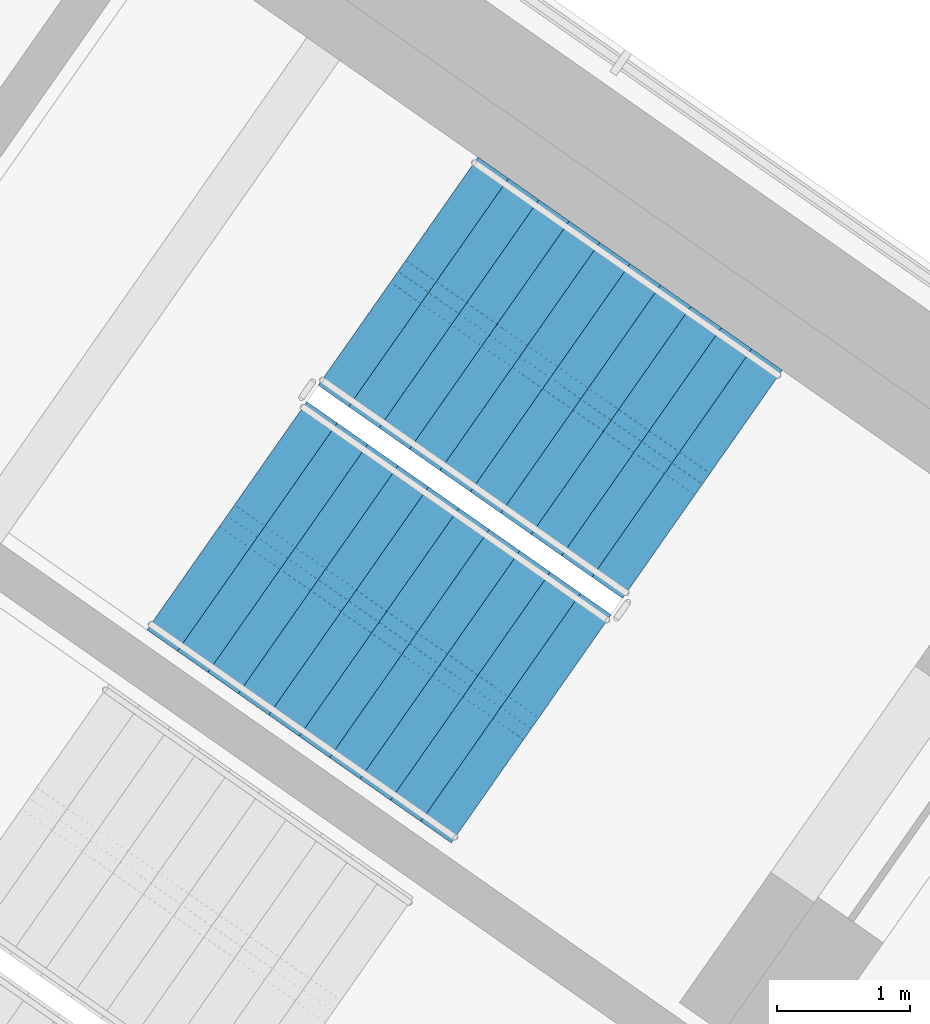
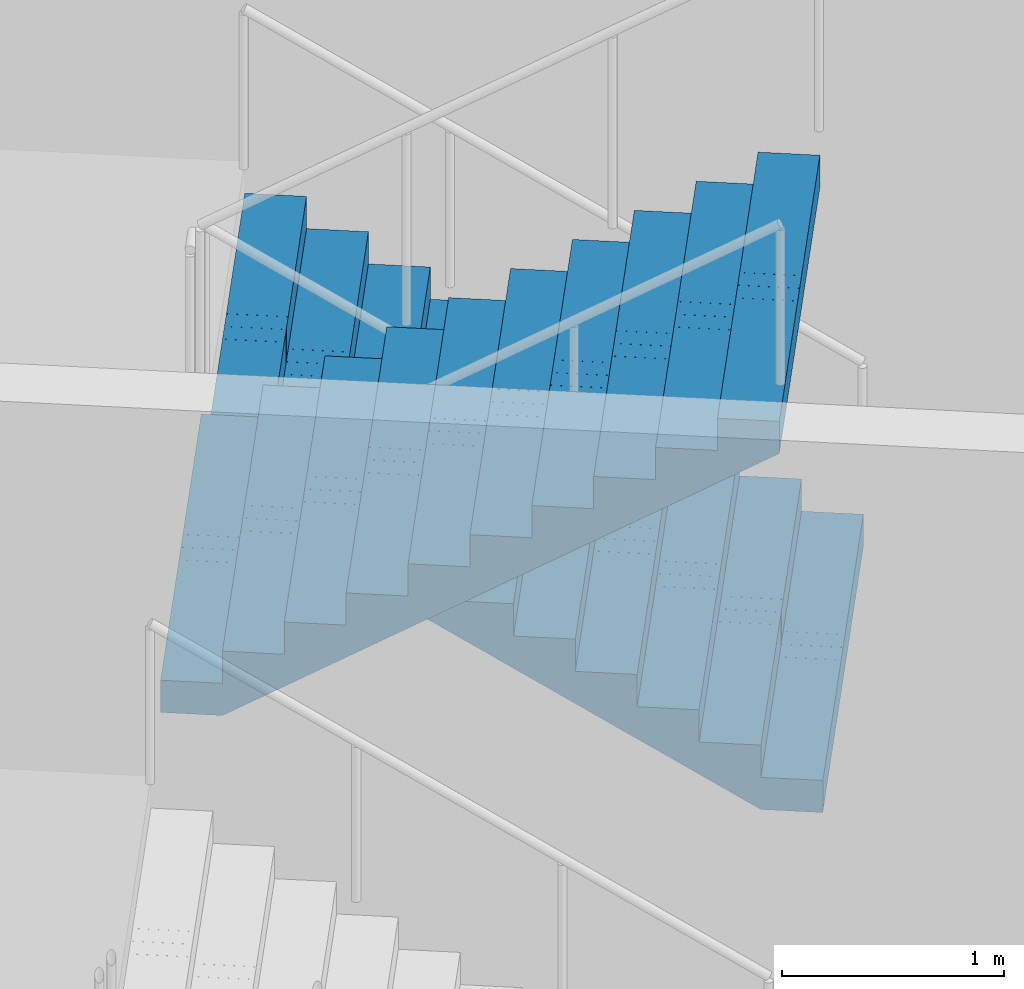
# One storey, part 13 of 18: 2 stair flights, 1 element without a shape of its own.
"""IFC4 building model written with IfcOpenShell, lengths in metres."""

from ifc_helpers import new_model, si_unit, direction, frame, origin, place, context, subcontext, project, spatial, polyline, outline, extrude, material, type_object, element, aggregate, save


model = new_model("IFC4")

# Units and contexts
model_context = context("Model", 3, precision=1e-05, world=origin(), true_north=direction((0.0, 1.0)))
body_context = subcontext(model_context, "Body", "Model", "MODEL_VIEW")
ifc_project = project(units=[si_unit("LENGTHUNIT", "METRE"), si_unit("AREAUNIT", "SQUARE_METRE"), si_unit("VOLUMEUNIT", "CUBIC_METRE"), si_unit("PLANEANGLEUNIT", "RADIAN"), si_unit("MASSUNIT", "GRAM", prefix="KILO")], contexts=[model_context])

# Site, building, storey
site_placement = place(None, origin())
site = spatial("IfcSite", under=ifc_project, at=site_placement, CompositionType="ELEMENT")
building_placement = place(site_placement, origin())
building = spatial("IfcBuilding", under=site, at=building_placement, Name="Tel Ilan Convention Tower", CompositionType="ELEMENT")
storey_placement = place(building_placement, frame((0.0, 0.0, 256.60009765625)))
storey = spatial("IfcBuildingStorey", under=building, at=storey_placement, Name="L60", CompositionType="ELEMENT", Elevation=256.60009765625)

# Stair, stair flights
ifc_material_1 = material(Name="Concrete C40/50", Category="concrete")
stair_type = type_object("IfcStairType", Name="Pressurised Exit Stair 22 risers 177 mm", PredefinedType="HALF_TURN_STAIR", material=ifc_material_1)
stair_placement = place(storey_placement, origin())
stair = element("IfcStair", 1, at=stair_placement, inside=storey, type_object=stair_type, Name="L60 Pressurised Stair S3", PredefinedType="HALF_TURN_STAIR")
ifc_material_2 = material(Name="Precast Concrete C40/50", Category="concrete")
stair_flight_type = type_object("IfcStairFlightType", Name="Concrete Stair Flight 2100 mm 22 risers 177 mm", PredefinedType="STRAIGHT", material=ifc_material_2)
stair_flight_1_placement = place(storey_placement, frame((24.25244140625, -7.032470703125, 0.0), z_axis=(0.0, 0.0, 1.0), x_axis=(-0.819152044289, 0.573576436351, 0.0)))
stair_flight_1 = element("IfcStairFlight", 2, at=stair_flight_1_placement, type_object=stair_flight_type, Name="S3 flight 1", NumberOfRisers=11, NumberOfTreads=10, PredefinedType="STRAIGHT", RiserHeight=0.177272727, TreadLength=0.28, context=body_context, shape_type="SweptSolid", body=[
    extrude(outline(polyline([(0.0, 0.0), (0.0, 0.17724609375), (0.280029296875, 0.17724609375), (0.280029296875, 0.3544921875), (0.56005859375, 0.3544921875), (0.56005859375, 0.53173828125), (0.840087890625, 0.53173828125), (0.840087890625, 0.708984375), (1.1201171875, 0.708984375), (1.1201171875, 0.886474609375), (1.39990234375, 0.886474609375), (1.39990234375, 1.063720703125), (1.679931640625, 1.063720703125), (1.679931640625, 1.240966796875), (1.9599609375, 1.240966796875), (1.9599609375, 1.418212890625), (2.239990234375, 1.418212890625), (2.239990234375, 1.595458984375), (2.52001953125, 1.595458984375), (2.52001953125, 1.772705078125), (2.800048828125, 1.772705078125), (2.800048828125, 1.949951171875), (2.800048828125, 1.59521484375), (0.2802734375, 0.0), (0.0, 0.0)])), frame((0.0, -0.100341796875, 0.0), z_axis=(0.0, -1.0, 0.0), x_axis=(1.0, 0.0, 0.0)), (0.0, 0.0, 1.0), 0.94970703125),
    extrude(outline(polyline([(0.0, 0.0), (0.0, 0.17724609375), (0.280029296875, 0.17724609375), (0.280029296875, 0.3544921875), (0.56005859375, 0.3544921875), (0.56005859375, 0.53173828125), (0.840087890625, 0.53173828125), (0.840087890625, 0.708984375), (1.1201171875, 0.708984375), (1.1201171875, 0.886474609375), (1.39990234375, 0.886474609375), (1.39990234375, 1.063720703125), (1.679931640625, 1.063720703125), (1.679931640625, 1.240966796875), (1.9599609375, 1.240966796875), (1.9599609375, 1.418212890625), (2.239990234375, 1.418212890625), (2.239990234375, 1.595458984375), (2.52001953125, 1.595458984375), (2.52001953125, 1.772705078125), (2.800048828125, 1.772705078125), (2.800048828125, 1.949951171875), (2.800048828125, 1.59521484375), (0.2802734375, 0.0), (0.0, 0.0)])), frame((0.0, -0.000244140625, 0.0), z_axis=(0.0, -1.0, 0.0), x_axis=(1.0, 0.0, 0.0)), (0.0, 0.0, 1.0), 0.099609375),
    extrude(outline(polyline([(0.0, 0.0), (0.0, 0.17724609375), (0.280029296875, 0.17724609375), (0.280029296875, 0.3544921875), (0.56005859375, 0.3544921875), (0.56005859375, 0.53173828125), (0.840087890625, 0.53173828125), (0.840087890625, 0.708984375), (1.1201171875, 0.708984375), (1.1201171875, 0.886474609375), (1.39990234375, 0.886474609375), (1.39990234375, 1.063720703125), (1.679931640625, 1.063720703125), (1.679931640625, 1.240966796875), (1.9599609375, 1.240966796875), (1.9599609375, 1.418212890625), (2.239990234375, 1.418212890625), (2.239990234375, 1.595458984375), (2.52001953125, 1.595458984375), (2.52001953125, 1.772705078125), (2.800048828125, 1.772705078125), (2.800048828125, 1.949951171875), (2.800048828125, 1.59521484375), (0.2802734375, 0.0), (0.0, 0.0)])), frame((0.0, 0.099853515625, 0.0), z_axis=(0.0, -1.0, 0.0), x_axis=(1.0, 0.0, 0.0)), (0.0, 0.0, 1.0), 0.099609375),
    extrude(outline(polyline([(0.0, 0.0), (0.0, 0.17724609375), (0.280029296875, 0.17724609375), (0.280029296875, 0.3544921875), (0.56005859375, 0.3544921875), (0.56005859375, 0.53173828125), (0.840087890625, 0.53173828125), (0.840087890625, 0.708984375), (1.1201171875, 0.708984375), (1.1201171875, 0.886474609375), (1.39990234375, 0.886474609375), (1.39990234375, 1.063720703125), (1.679931640625, 1.063720703125), (1.679931640625, 1.240966796875), (1.9599609375, 1.240966796875), (1.9599609375, 1.418212890625), (2.239990234375, 1.418212890625), (2.239990234375, 1.595458984375), (2.52001953125, 1.595458984375), (2.52001953125, 1.772705078125), (2.800048828125, 1.772705078125), (2.800048828125, 1.949951171875), (2.800048828125, 1.59521484375), (0.2802734375, 0.0), (0.0, 0.0)])), frame((0.0, 1.050048828125, 0.0), z_axis=(0.0, -1.0, 0.0), x_axis=(1.0, 0.0, 0.0)), (0.0, 0.0, 1.0), 0.94970703125),
])
stair_flight_2_placement = place(storey_placement, frame((20.668212890625, -7.26953125, 1.949951171875), z_axis=(0.0, 0.0, 1.0), x_axis=(0.819152044289, -0.573576436351, 0.0)))
stair_flight_2 = element("IfcStairFlight", 3, at=stair_flight_2_placement, type_object=stair_flight_type, Name="S3 flight 2", NumberOfRisers=11, NumberOfTreads=10, PredefinedType="STRAIGHT", RiserHeight=0.177272727, TreadLength=0.28, context=body_context, shape_type="SweptSolid", body=[
    extrude(outline(polyline([(0.0, 0.0), (0.0, 0.17724609375), (0.280029296875, 0.17724609375), (0.280029296875, 0.3544921875), (0.56005859375, 0.3544921875), (0.56005859375, 0.53173828125), (0.840087890625, 0.53173828125), (0.840087890625, 0.708984375), (1.1201171875, 0.708984375), (1.1201171875, 0.886474609375), (1.39990234375, 0.886474609375), (1.39990234375, 1.063720703125), (1.679931640625, 1.063720703125), (1.679931640625, 1.240966796875), (1.9599609375, 1.240966796875), (1.9599609375, 1.418212890625), (2.239990234375, 1.418212890625), (2.239990234375, 1.595458984375), (2.52001953125, 1.595458984375), (2.52001953125, 1.772705078125), (2.800048828125, 1.772705078125), (2.800048828125, 1.949951171875), (2.800048828125, 1.59521484375), (0.2802734375, 0.0), (0.0, 0.0)])), frame((0.0, -0.100341796875, 0.0), z_axis=(0.0, -1.0, 0.0), x_axis=(1.0, 0.0, 0.0)), (0.0, 0.0, 1.0), 0.94970703125),
    extrude(outline(polyline([(0.0, 0.0), (0.0, 0.17724609375), (0.280029296875, 0.17724609375), (0.280029296875, 0.3544921875), (0.56005859375, 0.3544921875), (0.56005859375, 0.53173828125), (0.840087890625, 0.53173828125), (0.840087890625, 0.708984375), (1.1201171875, 0.708984375), (1.1201171875, 0.886474609375), (1.39990234375, 0.886474609375), (1.39990234375, 1.063720703125), (1.679931640625, 1.063720703125), (1.679931640625, 1.240966796875), (1.9599609375, 1.240966796875), (1.9599609375, 1.418212890625), (2.239990234375, 1.418212890625), (2.239990234375, 1.595458984375), (2.52001953125, 1.595458984375), (2.52001953125, 1.772705078125), (2.800048828125, 1.772705078125), (2.800048828125, 1.949951171875), (2.800048828125, 1.59521484375), (0.2802734375, 0.0), (0.0, 0.0)])), frame((0.0, -0.000244140625, 0.0), z_axis=(0.0, -1.0, 0.0), x_axis=(1.0, 0.0, 0.0)), (0.0, 0.0, 1.0), 0.099609375),
    extrude(outline(polyline([(0.0, 0.0), (0.0, 0.17724609375), (0.280029296875, 0.17724609375), (0.280029296875, 0.3544921875), (0.56005859375, 0.3544921875), (0.56005859375, 0.53173828125), (0.840087890625, 0.53173828125), (0.840087890625, 0.708984375), (1.1201171875, 0.708984375), (1.1201171875, 0.886474609375), (1.39990234375, 0.886474609375), (1.39990234375, 1.063720703125), (1.679931640625, 1.063720703125), (1.679931640625, 1.240966796875), (1.9599609375, 1.240966796875), (1.9599609375, 1.418212890625), (2.239990234375, 1.418212890625), (2.239990234375, 1.595458984375), (2.52001953125, 1.595458984375), (2.52001953125, 1.772705078125), (2.800048828125, 1.772705078125), (2.800048828125, 1.949951171875), (2.800048828125, 1.59521484375), (0.2802734375, 0.0), (0.0, 0.0)])), frame((0.0, 0.099853515625, 0.0), z_axis=(0.0, -1.0, 0.0), x_axis=(1.0, 0.0, 0.0)), (0.0, 0.0, 1.0), 0.099609375),
    extrude(outline(polyline([(0.0, 0.0), (0.0, 0.17724609375), (0.280029296875, 0.17724609375), (0.280029296875, 0.3544921875), (0.56005859375, 0.3544921875), (0.56005859375, 0.53173828125), (0.840087890625, 0.53173828125), (0.840087890625, 0.708984375), (1.1201171875, 0.708984375), (1.1201171875, 0.886474609375), (1.39990234375, 0.886474609375), (1.39990234375, 1.063720703125), (1.679931640625, 1.063720703125), (1.679931640625, 1.240966796875), (1.9599609375, 1.240966796875), (1.9599609375, 1.418212890625), (2.239990234375, 1.418212890625), (2.239990234375, 1.595458984375), (2.52001953125, 1.595458984375), (2.52001953125, 1.772705078125), (2.800048828125, 1.772705078125), (2.800048828125, 1.949951171875), (2.800048828125, 1.59521484375), (0.2802734375, 0.0), (0.0, 0.0)])), frame((0.0, 1.050048828125, 0.0), z_axis=(0.0, -1.0, 0.0), x_axis=(1.0, 0.0, 0.0)), (0.0, 0.0, 1.0), 0.94970703125),
])
aggregate(stair, [stair_flight_1, stair_flight_2])

save(model, "model.ifc")
